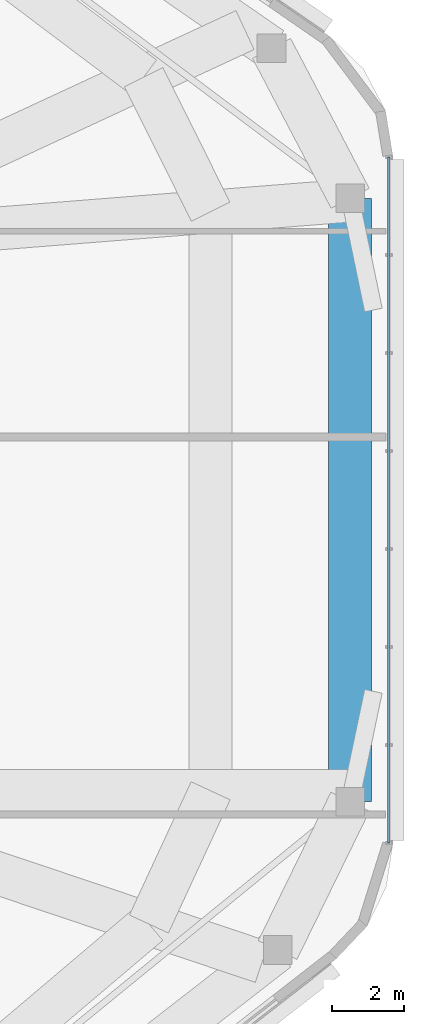
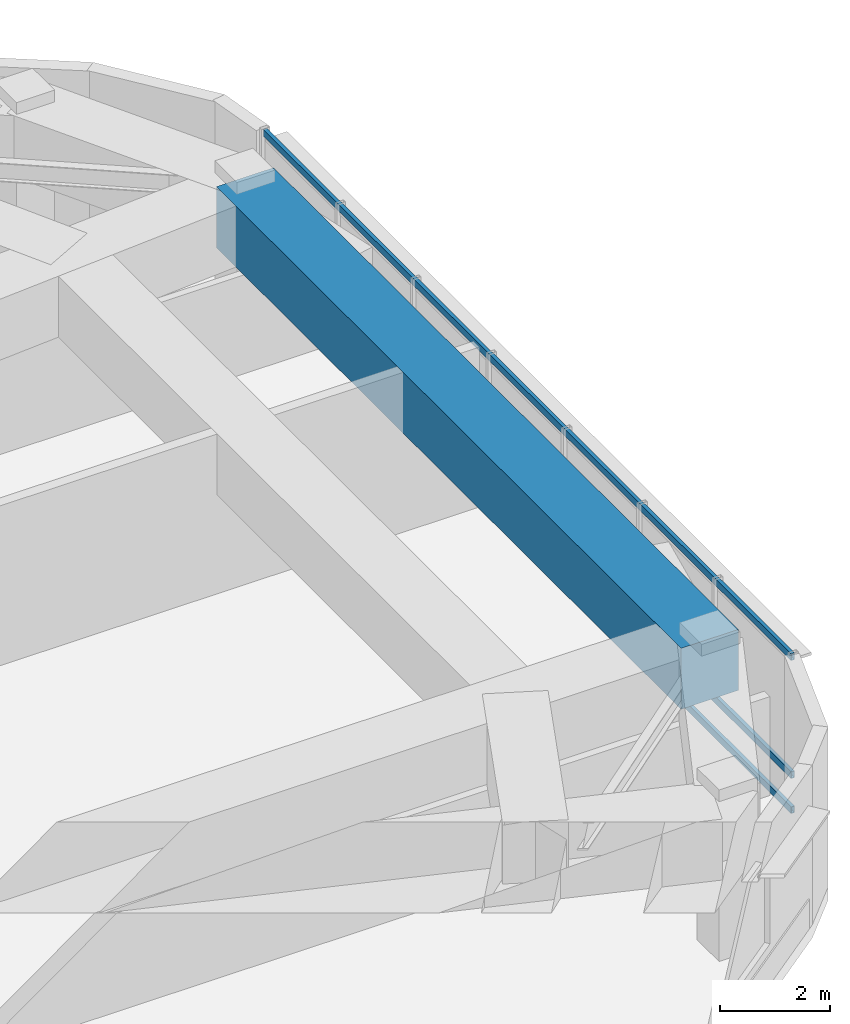
# One storey, part 4 of 15: 3 members, 1 beam, 1 element without a shape of its own.
"""IFC4 building model written with IfcOpenShell, lengths in metres."""

from ifc_helpers import new_model, si_unit, direction, frame, origin, origin_2d, place, context, subcontext, project, spatial, rectangle, hollow_rectangle, extrude, material, material_profile, profile_set, type_object, element, aggregate, save


model = new_model("IFC4")

# Units and contexts
model_context = context("Model", 3, precision=1e-05, world=origin(), true_north=direction((0.0, 1.0)))
body_context = subcontext(model_context, "Body", "Model", "MODEL_VIEW")
ifc_project = project(units=[si_unit("LENGTHUNIT", "METRE"), si_unit("AREAUNIT", "SQUARE_METRE"), si_unit("VOLUMEUNIT", "CUBIC_METRE"), si_unit("PLANEANGLEUNIT", "RADIAN"), si_unit("MASSUNIT", "GRAM", prefix="KILO")], contexts=[model_context])

# Site, building, storey
site_placement = place(None, origin())
site = spatial("IfcSite", under=ifc_project, at=site_placement, CompositionType="ELEMENT")
building_placement = place(site_placement, origin())
building = spatial("IfcBuilding", under=site, at=building_placement, Name="Zulverin Broadcast Headquarters", CompositionType="ELEMENT")
storey_placement = place(building_placement, frame((0.0, 0.0, 270.60009765625)))
storey = spatial("IfcBuildingStorey", under=building, at=storey_placement, Name="L69", CompositionType="ELEMENT", Elevation=270.60009765625)

# Beam
ifc_material_1 = material(Name="Concrete C50/60", Category="concrete")
ifc_material_profile_1 = material_profile(ifc_material_1, rectangle(XDim=1.199951171875, YDim=1.35009765625, at=origin_2d()), Name="Concrete C50/60", Category="concrete")
ifc_profile_set_1 = profile_set([ifc_material_profile_1], Name="Concrete C50/60")
beam_type = type_object("IfcBeamType", Name="BM-TG-CRN-1350", PredefinedType="USERDEFINED", material=ifc_profile_set_1)
beam_placement = place(storey_placement, frame((64.300048828125, 17.40771484375, 2.864990234375), z_axis=(0.0, 1.0, 0.0), x_axis=(-1.0, 0.0, 0.0)))
element("IfcBeam", 1, at=beam_placement, inside=storey, type_object=beam_type, Name="L69 Perimeter Transfer Ring Girder SP-05", ObjectType="TRANSFER GIRDER", PredefinedType="USERDEFINED", context=body_context, shape_type="SweptSolid", body=[
    extrude(rectangle(XDim=1.199951171875, YDim=1.35009765625, at=origin_2d()), origin(), (0.0, 0.0, 1.0), 16.867919921875),
])

# Curtain wall, members
ifc_material_2 = material(Name="High-zone solar-control unitised curtain wall", Category="aluminium")
curtain_wall_type = type_object("IfcCurtainWallType", Name="CW-TWR-UPP", PredefinedType="USERDEFINED", material=ifc_material_2)
curtain_wall_placement = place(storey_placement, origin())
curtain_wall = element("IfcCurtainWall", 2, at=curtain_wall_placement, inside=storey, type_object=curtain_wall_type, Name="L69 Unitised Curtain Wall CW-L69-E3", ObjectType="UNITISED CURTAIN WALL", PredefinedType="USERDEFINED")
ifc_material_3 = material(Name="Anodized pale-metal aluminium alloy 6063-T6", Category="aluminium")
ifc_material_profile_2 = material_profile(ifc_material_3, hollow_rectangle(XDim=0.074951171875, YDim=0.14990234375, WallThickness=0.0048828125, at=origin_2d()), Name="Anodized pale-metal aluminium alloy 6063-T6", Category="aluminium")
ifc_profile_set_2 = profile_set([ifc_material_profile_2], Name="Anodized pale-metal aluminium alloy 6063-T6")
member_type = type_object("IfcMemberType", Name="CW-TRN-150", PredefinedType="USERDEFINED", material=ifc_profile_set_2)
member_1_placement = place(storey_placement, frame((65.3798828125, 16.2578125, 0.074951171875), z_axis=(0.0, 1.0, 0.0), x_axis=(-1.0, 0.0, 0.0)))
member_1 = element("IfcMember", 3, at=member_1_placement, type_object=member_type, Name="CW-L69-E3 Transom 0", ObjectType="TRANSOM", PredefinedType="USERDEFINED", context=body_context, shape_type="SweptSolid", body=[
    extrude(hollow_rectangle(XDim=0.074951171875, YDim=0.14990234375, WallThickness=0.0048828125, at=origin_2d()), origin(), (0.0, 0.0, 1.0), 19.16796875),
])
member_2_placement = place(storey_placement, frame((65.3798828125, 16.2578125, 0.849609375), z_axis=(0.0, 1.0, 0.0), x_axis=(-1.0, 0.0, 0.0)))
member_2 = element("IfcMember", 4, at=member_2_placement, type_object=member_type, Name="CW-L69-E3 Transom 1", ObjectType="TRANSOM", PredefinedType="USERDEFINED", context=body_context, shape_type="SweptSolid", body=[
    extrude(hollow_rectangle(XDim=0.074951171875, YDim=0.14990234375, WallThickness=0.0048828125, at=origin_2d()), origin(), (0.0, 0.0, 1.0), 19.16796875),
])
member_3_placement = place(storey_placement, frame((65.3798828125, 16.2578125, 3.46484375), z_axis=(0.0, 1.0, 0.0), x_axis=(-1.0, 0.0, 0.0)))
member_3 = element("IfcMember", 5, at=member_3_placement, type_object=member_type, Name="CW-L69-E3 Transom 2", ObjectType="TRANSOM", PredefinedType="USERDEFINED", context=body_context, shape_type="SweptSolid", body=[
    extrude(hollow_rectangle(XDim=0.074951171875, YDim=0.14990234375, WallThickness=0.0048828125, at=origin_2d()), origin(), (0.0, 0.0, 1.0), 19.16796875),
])
aggregate(curtain_wall, [member_1, member_2, member_3])

save(model, "model.ifc")
